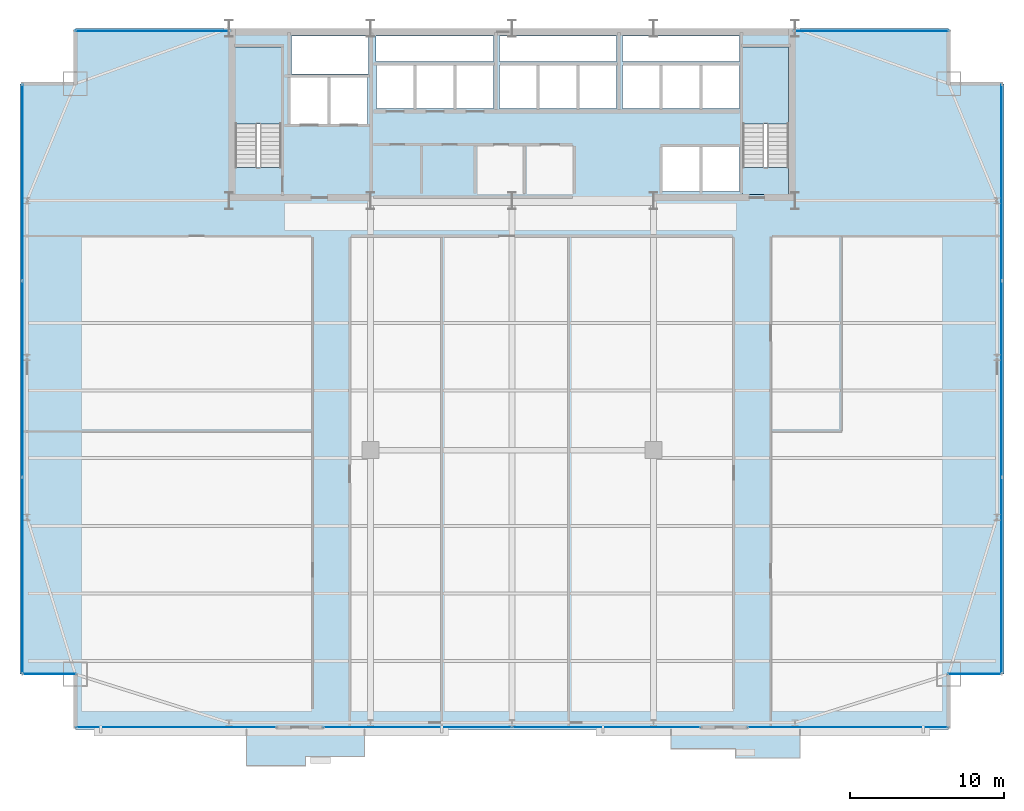
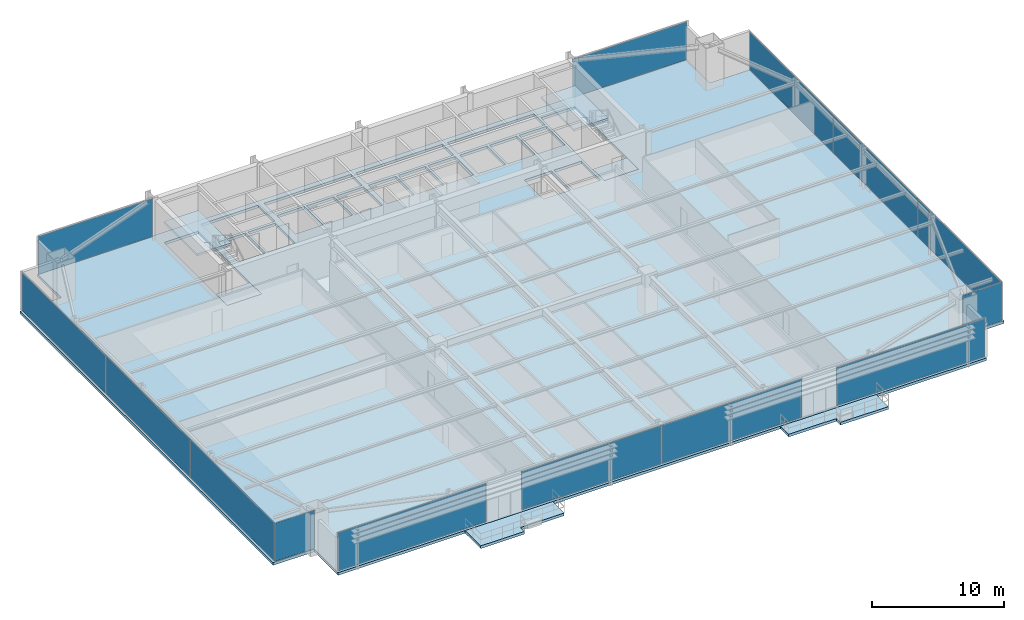
# One storey, part 24 of 31: 14 plates, 7 slabs, 11 elements without a shape of their own.
"""IFC4 building model written with IfcOpenShell, lengths in metres."""

from ifc_helpers import new_model, si_unit, direction, frame, origin, origin_2d, place, context, subcontext, project, spatial, polyline, rectangle, outline, extrude, source, transform, mapped, material, layer, layer_set, type_object, type_shapes, element, aggregate, save


model = new_model("IFC4")

# Units and contexts
model_context = context("Model", 3, precision=1e-05, world=origin(), true_north=direction((0.0, 1.0)))
body_context = subcontext(model_context, "Body", "Model", "MODEL_VIEW")
ifc_project = project(units=[si_unit("LENGTHUNIT", "METRE"), si_unit("AREAUNIT", "SQUARE_METRE"), si_unit("VOLUMEUNIT", "CUBIC_METRE"), si_unit("PLANEANGLEUNIT", "RADIAN"), si_unit("MASSUNIT", "GRAM", prefix="KILO")], contexts=[model_context])

# Site, building, storey
site_placement = place(None, origin())
site = spatial("IfcSite", under=ifc_project, at=site_placement, CompositionType="ELEMENT")
building_placement = place(site_placement, origin())
building = spatial("IfcBuilding", under=site, at=building_placement, Name="Varnel Quay Broadcast Tower", CompositionType="ELEMENT")
storey_placement = place(building_placement, frame((0.0, 0.0, 35.39990234375)))
storey = spatial("IfcBuildingStorey", under=building, at=storey_placement, Name="L07", CompositionType="ELEMENT", Elevation=35.39990234375)

# Slabs
ifc_material_1 = material(Name="Concrete CSA A23.3 C40/50", Category="concrete")
ifc_layer_1 = layer(ifc_material_1, 0.25, Name="Concrete CSA A23.3 C40/50")
ifc_layer_set_1 = layer_set([ifc_layer_1], Name="Concrete CSA A23.3 C40/50")
slab_type_1 = type_object("IfcSlabType", Name="Slab_ExtTerrace250", PredefinedType="FLOOR", material=ifc_layer_set_1)
slab_1_placement = place(storey_placement, frame((0.0, 0.0, -0.25)))
element("IfcSlab", 1, at=slab_1_placement, inside=storey, type_object=slab_type_1, Name="L07 Planted Lobe Terrace Slab 1", PredefinedType="FLOOR", context=body_context, shape_type="SweptSolid", body=[
    extrude(outline(polyline([(16.739990234375, -1.14794921875), (20.570068359375, -1.14794921875), (20.570068359375, -0.548095703125), (24.39990234375, -0.548095703125), (24.39990234375, 1.199951171875), (16.739990234375, 1.199951171875), (16.739990234375, -1.14794921875)])), origin(), (0.0, 0.0, 1.0), 0.25),
])
slab_2_placement = place(storey_placement, frame((0.0, 0.0, -0.25)))
element("IfcSlab", 2, at=slab_2_placement, inside=storey, type_object=slab_type_1, Name="L07 Planted Lobe Terrace Slab 2", PredefinedType="FLOOR", context=body_context, shape_type="SweptSolid", body=[
    extrude(outline(polyline([(44.340087890625, -0.052001953125), (48.5400390625, -0.052001953125), (48.5400390625, -0.652099609375), (52.739990234375, -0.652099609375), (52.739990234375, 1.199951171875), (44.340087890625, 1.199951171875), (44.340087890625, -0.052001953125)])), origin(), (0.0, 0.0, 1.0), 0.25),
])
ifc_material_2 = material(Name="Concrete CSA A23.3 C50/60", Category="concrete")
ifc_layer_2 = layer(ifc_material_2, 0.25, Name="Concrete CSA A23.3 C50/60")
ifc_layer_set_2 = layer_set([ifc_layer_2], Name="Concrete CSA A23.3 C50/60")
slab_type_2 = type_object("IfcSlabType", Name="Slab_Floor250", PredefinedType="FLOOR", material=ifc_layer_set_2)
slab_3_placement = place(storey_placement, frame((0.0, 0.0, -0.25)))
element("IfcSlab", 3, at=slab_3_placement, inside=storey, type_object=slab_type_2, Name="L07 Structural Slab", PredefinedType="FLOOR", context=body_context, shape_type="SweptSolid", body=[
    extrude(outline(polyline([(5.60009765625, 1.199951171875), (62.39990234375, 1.199951171875), (62.39990234375, 4.800048828125), (66.0, 4.800048828125), (66.0, 43.199951171875), (62.39990234375, 43.199951171875), (62.39990234375, 46.800048828125), (5.60009765625, 46.800048828125), (5.60009765625, 43.199951171875), (2.0, 43.199951171875), (2.0, 4.800048828125), (5.60009765625, 4.800048828125), (5.60009765625, 1.199951171875)]), holes=[polyline([(16.0, 36.0), (16.0, 45.60009765625), (19.0, 45.60009765625), (19.0, 36.0), (16.0, 36.0)]), polyline([(19.60009765625, 43.60009765625), (22.0, 43.60009765625), (22.0, 40.60009765625), (19.60009765625, 40.60009765625), (19.60009765625, 43.60009765625)]), polyline([(22.199951171875, 43.60009765625), (24.60009765625, 43.60009765625), (24.60009765625, 40.60009765625), (22.199951171875, 40.60009765625), (22.199951171875, 43.60009765625)]), polyline([(25.199951171875, 44.39990234375), (27.60009765625, 44.39990234375), (27.60009765625, 41.60009765625), (25.199951171875, 41.60009765625), (25.199951171875, 44.39990234375)]), polyline([(27.800048828125, 44.39990234375), (30.199951171875, 44.39990234375), (30.199951171875, 41.60009765625), (27.800048828125, 41.60009765625), (27.800048828125, 44.39990234375)]), polyline([(30.39990234375, 44.39990234375), (32.800048828125, 44.39990234375), (32.800048828125, 41.60009765625), (30.39990234375, 41.60009765625), (30.39990234375, 44.39990234375)]), polyline([(33.199951171875, 44.39990234375), (35.60009765625, 44.39990234375), (35.60009765625, 41.60009765625), (33.199951171875, 41.60009765625), (33.199951171875, 44.39990234375)]), polyline([(38.199951171875, 44.39990234375), (38.199951171875, 41.60009765625), (35.800048828125, 41.60009765625), (35.800048828125, 44.39990234375), (38.199951171875, 44.39990234375)]), polyline([(24.679931640625, 46.300048828125), (24.679931640625, 43.85009765625), (19.64990234375, 43.85009765625), (19.64990234375, 46.300048828125), (24.679931640625, 46.300048828125)]), polyline([(25.14990234375, 46.300048828125), (32.800048828125, 46.300048828125), (32.800048828125, 44.64990234375), (25.14990234375, 44.64990234375), (25.14990234375, 46.300048828125)]), polyline([(43.800048828125, 39.10009765625), (46.199951171875, 39.10009765625), (46.199951171875, 36.199951171875), (43.800048828125, 36.199951171875), (43.800048828125, 39.10009765625)]), polyline([(46.39990234375, 39.10009765625), (48.800048828125, 39.10009765625), (48.800048828125, 36.199951171875), (46.39990234375, 36.199951171875), (46.39990234375, 39.10009765625)]), polyline([(49.0, 45.60009765625), (52.0, 45.60009765625), (52.0, 36.0), (49.0, 36.0), (49.0, 45.60009765625)]), polyline([(40.800048828125, 44.39990234375), (40.800048828125, 41.60009765625), (38.39990234375, 41.60009765625), (38.39990234375, 44.39990234375), (40.800048828125, 44.39990234375)]), polyline([(41.199951171875, 44.39990234375), (43.60009765625, 44.39990234375), (43.60009765625, 41.60009765625), (41.199951171875, 41.60009765625), (41.199951171875, 44.39990234375)]), polyline([(43.800048828125, 44.39990234375), (46.199951171875, 44.39990234375), (46.199951171875, 41.60009765625), (43.800048828125, 41.60009765625), (43.800048828125, 44.39990234375)]), polyline([(46.39990234375, 44.39990234375), (48.800048828125, 44.39990234375), (48.800048828125, 41.60009765625), (46.39990234375, 41.60009765625), (46.39990234375, 44.39990234375)]), polyline([(40.800048828125, 46.300048828125), (40.800048828125, 44.64990234375), (33.199951171875, 44.64990234375), (33.199951171875, 46.300048828125), (40.800048828125, 46.300048828125)]), polyline([(48.800048828125, 46.300048828125), (48.800048828125, 44.64990234375), (41.199951171875, 44.64990234375), (41.199951171875, 46.300048828125), (48.800048828125, 46.300048828125)])]), origin(), (0.0, 0.0, 1.0), 0.25),
])
ifc_layer_3 = layer(ifc_material_2, 0.25, Name="Concrete CSA A23.3 C50/60")
ifc_layer_set_3 = layer_set([ifc_layer_3], Name="Concrete CSA A23.3 C50/60")
slab_type_3 = type_object("IfcSlabType", Name="Slab_StairFloorLanding250", PredefinedType="FLOOR", material=ifc_layer_set_3)
slab_4_placement = place(storey_placement, frame((0.0, 0.0, -0.25)))
element("IfcSlab", 4, at=slab_4_placement, inside=storey, type_object=slab_type_3, Name="L07 ST-01 Structural Floor Landing Slab", PredefinedType="FLOOR", context=body_context, shape_type="SweptSolid", body=[
    extrude(outline(polyline([(19.0, 36.0), (19.0, 37.75), (16.0, 37.75), (16.0, 36.0), (19.0, 36.0)])), origin(), (0.0, 0.0, 1.0), 0.25),
])
slab_5_placement = place(storey_placement, frame((0.0, 0.0, -0.25)))
element("IfcSlab", 5, at=slab_5_placement, inside=storey, type_object=slab_type_3, Name="L07 ST-02 Structural Floor Landing Slab", PredefinedType="FLOOR", context=body_context, shape_type="SweptSolid", body=[
    extrude(outline(polyline([(52.0, 36.0), (52.0, 37.75), (49.0, 37.75), (49.0, 36.0), (52.0, 36.0)])), origin(), (0.0, 0.0, 1.0), 0.25),
])

# Stair, slab
ifc_material_3 = material(Name="Precast Structural Concrete C40/50", Category="concrete")
stair_type_1 = type_object("IfcStairType", Name="Stair_ST-01", PredefinedType="HALF_TURN_STAIR", material=ifc_material_3)
stair_1_placement = place(storey_placement, origin())
stair_1 = element("IfcStair", 6, at=stair_1_placement, inside=storey, type_object=stair_type_1, Name="L07 West Core Exit Stair 1", PredefinedType="HALF_TURN_STAIR")
ifc_layer_4 = layer(ifc_material_3, 0.199951171875, Name="Precast Structural Concrete C40/50")
ifc_layer_set_4 = layer_set([ifc_layer_4], Name="Precast Structural Concrete C40/50")
slab_type_4 = type_object("IfcSlabType", Name="Slab_StairLanding200", PredefinedType="LANDING", material=ifc_layer_set_4)
slab_6_placement = place(storey_placement, frame((0.0, 0.0, 1.75)))
slab_6 = element("IfcSlab", 7, at=slab_6_placement, type_object=slab_type_4, Name="ST-01 landing 1", PredefinedType="LANDING", context=body_context, shape_type="SweptSolid", body=[
    extrude(outline(polyline([(19.0, 40.60009765625), (19.0, 45.60009765625), (16.0, 45.60009765625), (16.0, 40.60009765625), (19.0, 40.60009765625)])), origin(), (0.0, 0.0, 1.0), 0.2001953125),
])
aggregate(stair_1, [slab_6])

stair_type_2 = type_object("IfcStairType", Name="Stair_ST-02", PredefinedType="HALF_TURN_STAIR", material=ifc_material_3)
stair_2_placement = place(storey_placement, origin())
stair_2 = element("IfcStair", 8, at=stair_2_placement, inside=storey, type_object=stair_type_2, Name="L07 East Core Exit Stair 2", PredefinedType="HALF_TURN_STAIR")
slab_7_placement = place(storey_placement, frame((0.0, 0.0, 1.75)))
slab_7 = element("IfcSlab", 9, at=slab_7_placement, type_object=slab_type_4, Name="ST-02 landing 1", PredefinedType="LANDING", context=body_context, shape_type="SweptSolid", body=[
    extrude(outline(polyline([(52.0, 40.60009765625), (52.0, 45.60009765625), (49.0, 45.60009765625), (49.0, 40.60009765625), (52.0, 40.60009765625)])), origin(), (0.0, 0.0, 1.0), 0.2001953125),
])
aggregate(stair_2, [slab_7])

# Curtain wall, plate
ifc_material_4 = material(Name="Anodised Bronze Aluminium 6063-T6", Category="aluminium")
ifc_layer_5 = layer(ifc_material_4, 0.18994140625, Name="Anodised Bronze Aluminium 6063-T6")
ifc_layer_set_5 = layer_set([ifc_layer_5], Name="Anodised Bronze Aluminium 6063-T6")
curtain_wall_type_1 = type_object("IfcCurtainWallType", Name="CW_LowerTower", PredefinedType="NOTDEFINED", material=ifc_layer_set_5)
curtain_wall_1_placement = place(storey_placement, origin())
curtain_wall_1 = element("IfcCurtainWall", 10, at=curtain_wall_1_placement, inside=storey, type_object=curtain_wall_type_1, Name="L07 South Unitised Curtain Wall 1", PredefinedType="NOTDEFINED")
ifc_material_5 = material(Name="Triple-Glazed Bronze Low-E Architectural Glass", Category="glass")
ifc_layer_6 = layer(ifc_material_5, 0.031982421875, Name="Triple-Glazed Bronze Low-E Architectural Glass")
ifc_layer_set_6 = layer_set([ifc_layer_6], Name="Triple-Glazed Bronze Low-E Architectural Glass")
plate_type_1 = type_object("IfcPlateType", Name="Panel_CWS-02", PredefinedType="CURTAIN_PANEL", material=ifc_layer_set_6)
shared_shape_1 = source(origin(), body_context, "Body", "SweptSolid", [
    extrude(rectangle(XDim=12.97998046875, YDim=0.031982421875, at=origin_2d()), origin(), (0.0, 0.0, 1.0), 3.530029296875),
])
plate_1_placement = place(storey_placement, frame((12.159912109375, 1.35009765625, 0.06005859375), z_axis=(0.0, 0.0, 1.0), x_axis=(1.0, 0.0, 0.0)))
plate_1 = element("IfcPlate", 11, at=plate_1_placement, type_object=plate_type_1, Name="CWS-02 panel 1.1", PredefinedType="CURTAIN_PANEL", context=body_context, shape_type="MappedRepresentation", body=[
    mapped(shared_shape_1, transform((0.0, 0.0, 0.0), x_axis=(1.0, 0.0, 0.0), y_axis=(0.0, 1.0, 0.0), z_axis=(0.0, 0.0, 1.0), scale=1.0)),
])
aggregate(curtain_wall_1, [plate_1])

curtain_wall_2_placement = place(storey_placement, origin())
curtain_wall_2 = element("IfcCurtainWall", 12, at=curtain_wall_2_placement, inside=storey, type_object=curtain_wall_type_1, Name="L07 South Unitised Curtain Wall 3", PredefinedType="NOTDEFINED")
plate_2_placement = place(storey_placement, frame((55.840087890625, 1.35009765625, 0.06005859375), z_axis=(0.0, 0.0, 1.0), x_axis=(1.0, 0.0, 0.0)))
plate_2 = element("IfcPlate", 13, at=plate_2_placement, type_object=plate_type_1, Name="CWS-02 panel 1.1", PredefinedType="CURTAIN_PANEL", context=body_context, shape_type="MappedRepresentation", body=[
    mapped(shared_shape_1, transform((0.0, 0.0, 0.0), x_axis=(1.0, 0.0, 0.0), y_axis=(0.0, 1.0, 0.0), z_axis=(0.0, 0.0, 1.0), scale=1.0)),
])
aggregate(curtain_wall_2, [plate_2])

# Curtain wall, plates
curtain_wall_3_placement = place(storey_placement, origin())
curtain_wall_3 = element("IfcCurtainWall", 14, at=curtain_wall_3_placement, inside=storey, type_object=curtain_wall_type_1, Name="L07 South Unitised Curtain Wall 2", PredefinedType="NOTDEFINED")
ifc_material_6 = material(Name="Insulated Bronze Spandrel Glass", Category="glass")
ifc_layer_7 = layer(ifc_material_6, 0.031982421875, Name="Insulated Bronze Spandrel Glass")
ifc_layer_set_7 = layer_set([ifc_layer_7], Name="Insulated Bronze Spandrel Glass")
plate_type_2 = type_object("IfcPlateType", Name="PanelSp_CWS-02", PredefinedType="CURTAIN_PANEL", material=ifc_layer_set_7)
shared_shape_2 = source(origin(), body_context, "Body", "SweptSolid", [
    extrude(rectangle(XDim=12.215087890625, YDim=0.031982421875, at=origin_2d()), origin(), (0.0, 0.0, 1.0), 3.530029296875),
])
plate_3_placement = place(storey_placement, frame((27.857421875, 1.35009765625, 0.06005859375), z_axis=(0.0, 0.0, 1.0), x_axis=(1.0, 0.0, 0.0)))
plate_3 = element("IfcPlate", 15, at=plate_3_placement, type_object=plate_type_2, Name="CWS-02 panel 1.1", PredefinedType="CURTAIN_PANEL", context=body_context, shape_type="MappedRepresentation", body=[
    mapped(shared_shape_2, transform((0.0, 0.0, 0.0), x_axis=(1.0, 0.0, 0.0), y_axis=(0.0, 1.0, 0.0), z_axis=(0.0, 0.0, 1.0), scale=1.0)),
])
plate_4_placement = place(storey_placement, frame((40.142578125, 1.35009765625, 0.06005859375), z_axis=(0.0, 0.0, 1.0), x_axis=(1.0, 0.0, 0.0)))
plate_4 = element("IfcPlate", 16, at=plate_4_placement, type_object=plate_type_2, Name="CWS-02 panel 2.1", PredefinedType="CURTAIN_PANEL", context=body_context, shape_type="MappedRepresentation", body=[
    mapped(shared_shape_2, transform((0.0, 0.0, 0.0), x_axis=(1.0, 0.0, 0.0), y_axis=(0.0, 1.0, 0.0), z_axis=(0.0, 0.0, 1.0), scale=1.0)),
])
aggregate(curtain_wall_3, [plate_3, plate_4])

# Curtain wall, plate
curtain_wall_4_placement = place(storey_placement, origin())
curtain_wall_4 = element("IfcCurtainWall", 17, at=curtain_wall_4_placement, inside=storey, type_object=curtain_wall_type_1, Name="L07 West Unitised Curtain Wall", PredefinedType="NOTDEFINED")
shared_shape_3 = source(origin(), body_context, "Body", "SweptSolid", [
    extrude(rectangle(XDim=12.695068359375, YDim=0.031982421875, at=origin_2d()), origin(), (0.0, 0.0, 1.0), 3.530029296875),
])
plate_5_placement = place(storey_placement, frame((2.14990234375, 36.782470703125, 0.06005859375), z_axis=(0.0, 0.0, 1.0), x_axis=(0.0, 1.0, 0.0)))
plate_5 = element("IfcPlate", 18, at=plate_5_placement, type_object=plate_type_2, Name="CWS-02 panel 3.1", PredefinedType="CURTAIN_PANEL", context=body_context, shape_type="MappedRepresentation", body=[
    mapped(shared_shape_3, transform((0.0, 0.0, 0.0), x_axis=(1.0, 0.0, 0.0), y_axis=(0.0, 1.0, 0.0), z_axis=(0.0, 0.0, 1.0), scale=1.0)),
])

curtain_wall_5_placement = place(storey_placement, origin())
curtain_wall_5 = element("IfcCurtainWall", 19, at=curtain_wall_5_placement, inside=storey, type_object=curtain_wall_type_1, Name="L07 East Unitised Curtain Wall", PredefinedType="NOTDEFINED")
plate_6_placement = place(storey_placement, frame((65.85009765625, 36.782470703125, 0.06005859375), z_axis=(0.0, 0.0, 1.0), x_axis=(0.0, 1.0, 0.0)))
plate_6 = element("IfcPlate", 20, at=plate_6_placement, type_object=plate_type_2, Name="CWS-02 panel 3.1", PredefinedType="CURTAIN_PANEL", context=body_context, shape_type="MappedRepresentation", body=[
    mapped(shared_shape_3, transform((0.0, 0.0, 0.0), x_axis=(1.0, 0.0, 0.0), y_axis=(0.0, 1.0, 0.0), z_axis=(0.0, 0.0, 1.0), scale=1.0)),
])

# Plate
shared_shape_4 = source(origin(), body_context, "Body", "SweptSolid", [
    extrude(rectangle(XDim=12.72998046875, YDim=0.031982421875, at=origin_2d()), origin(), (0.0, 0.0, 1.0), 3.530029296875),
])
type_shapes(plate_type_2, [shared_shape_2, shared_shape_3, shared_shape_4])
plate_7_placement = place(storey_placement, frame((2.14990234375, 24.0, 0.06005859375), z_axis=(0.0, 0.0, 1.0), x_axis=(0.0, 1.0, 0.0)))
plate_7 = element("IfcPlate", 21, at=plate_7_placement, type_object=plate_type_2, Name="CWS-02 panel 2.1", PredefinedType="CURTAIN_PANEL", context=body_context, shape_type="MappedRepresentation", body=[
    mapped(shared_shape_4, transform((0.0, 0.0, 0.0), x_axis=(1.0, 0.0, 0.0), y_axis=(0.0, 1.0, 0.0), z_axis=(0.0, 0.0, 1.0), scale=1.0)),
])

plate_8_placement = place(storey_placement, frame((65.85009765625, 24.0, 0.06005859375), z_axis=(0.0, 0.0, 1.0), x_axis=(0.0, 1.0, 0.0)))
plate_8 = element("IfcPlate", 22, at=plate_8_placement, type_object=plate_type_2, Name="CWS-02 panel 2.1", PredefinedType="CURTAIN_PANEL", context=body_context, shape_type="MappedRepresentation", body=[
    mapped(shared_shape_4, transform((0.0, 0.0, 0.0), x_axis=(1.0, 0.0, 0.0), y_axis=(0.0, 1.0, 0.0), z_axis=(0.0, 0.0, 1.0), scale=1.0)),
])

# Curtain wall, plate
ifc_layer_8 = layer(ifc_material_4, 0.18994140625, Name="Anodised Bronze Aluminium 6063-T6")
ifc_layer_set_8 = layer_set([ifc_layer_8], Name="Anodised Bronze Aluminium 6063-T6")
curtain_wall_type_2 = type_object("IfcCurtainWallType", Name="CW_NotchCorner", PredefinedType="NOTDEFINED", material=ifc_layer_set_8)
curtain_wall_6_placement = place(storey_placement, origin())
curtain_wall_6 = element("IfcCurtainWall", 23, at=curtain_wall_6_placement, inside=storey, type_object=curtain_wall_type_2, Name="L07 SW Notch Curtain Wall", PredefinedType="NOTDEFINED")
ifc_layer_9 = layer(ifc_material_5, 0.028076171875, Name="Triple-Glazed Bronze Low-E Architectural Glass")
ifc_layer_set_9 = layer_set([ifc_layer_9], Name="Triple-Glazed Bronze Low-E Architectural Glass")
plate_type_3 = type_object("IfcPlateType", Name="Panel_CWS-04", PredefinedType="CURTAIN_PANEL", material=ifc_layer_set_9)
shared_shape_5 = source(origin(), body_context, "Body", "SweptSolid", [
    extrude(rectangle(XDim=3.409912109375, YDim=0.028076171875, at=origin_2d()), origin(), (0.0, 0.0, 1.0), 3.5400390625),
])
type_shapes(plate_type_3, [shared_shape_5])
plate_9_placement = place(storey_placement, frame((3.9150390625, 4.800048828125, 0.05517578125), z_axis=(0.0, 0.0, 1.0), x_axis=(1.0, 0.0, 0.0)))
plate_9 = element("IfcPlate", 24, at=plate_9_placement, type_object=plate_type_3, Name="CWS-04 panel 1.1", PredefinedType="CURTAIN_PANEL", context=body_context, shape_type="MappedRepresentation", body=[
    mapped(shared_shape_5, transform((0.0, 0.0, 0.0), x_axis=(1.0, 0.0, 0.0), y_axis=(0.0, 1.0, 0.0), z_axis=(0.0, 0.0, 1.0), scale=1.0)),
])
aggregate(curtain_wall_6, [plate_9])

curtain_wall_7_placement = place(storey_placement, origin())
curtain_wall_7 = element("IfcCurtainWall", 25, at=curtain_wall_7_placement, inside=storey, type_object=curtain_wall_type_2, Name="L07 SE Notch Curtain Wall", PredefinedType="NOTDEFINED")
plate_10_placement = place(storey_placement, frame((64.0849609375, 4.800048828125, 0.05517578125), z_axis=(0.0, 0.0, 1.0), x_axis=(1.0, 0.0, 0.0)))
plate_10 = element("IfcPlate", 26, at=plate_10_placement, type_object=plate_type_3, Name="CWS-04 panel 1.1", PredefinedType="CURTAIN_PANEL", context=body_context, shape_type="MappedRepresentation", body=[
    mapped(shared_shape_5, transform((0.0, 0.0, 0.0), x_axis=(1.0, 0.0, 0.0), y_axis=(0.0, 1.0, 0.0), z_axis=(0.0, 0.0, 1.0), scale=1.0)),
])
aggregate(curtain_wall_7, [plate_10])

curtain_wall_8_placement = place(storey_placement, origin())
curtain_wall_8 = element("IfcCurtainWall", 27, at=curtain_wall_8_placement, inside=storey, type_object=curtain_wall_type_1, Name="L07 NW Wing Curtain Wall", PredefinedType="NOTDEFINED")
shared_shape_6 = source(origin(), body_context, "Body", "SweptSolid", [
    extrude(rectangle(XDim=10.0400390625, YDim=0.031982421875, at=origin_2d()), origin(), (0.0, 0.0, 1.0), 3.530029296875),
])
plate_11_placement = place(storey_placement, frame((10.610107421875, 46.64990234375, 0.06005859375), z_axis=(0.0, 0.0, 1.0), x_axis=(1.0, 0.0, 0.0)))
plate_11 = element("IfcPlate", 28, at=plate_11_placement, type_object=plate_type_1, Name="CWS-02 panel 1.1", PredefinedType="CURTAIN_PANEL", context=body_context, shape_type="MappedRepresentation", body=[
    mapped(shared_shape_6, transform((0.0, 0.0, 0.0), x_axis=(1.0, 0.0, 0.0), y_axis=(0.0, 1.0, 0.0), z_axis=(0.0, 0.0, 1.0), scale=1.0)),
])
aggregate(curtain_wall_8, [plate_11])

curtain_wall_9_placement = place(storey_placement, origin())
curtain_wall_9 = element("IfcCurtainWall", 29, at=curtain_wall_9_placement, inside=storey, type_object=curtain_wall_type_1, Name="L07 NE Wing Curtain Wall", PredefinedType="NOTDEFINED")
plate_12_placement = place(storey_placement, frame((57.389892578125, 46.64990234375, 0.06005859375), z_axis=(0.0, 0.0, 1.0), x_axis=(1.0, 0.0, 0.0)))
plate_12 = element("IfcPlate", 30, at=plate_12_placement, type_object=plate_type_1, Name="CWS-02 panel 1.1", PredefinedType="CURTAIN_PANEL", context=body_context, shape_type="MappedRepresentation", body=[
    mapped(shared_shape_6, transform((0.0, 0.0, 0.0), x_axis=(1.0, 0.0, 0.0), y_axis=(0.0, 1.0, 0.0), z_axis=(0.0, 0.0, 1.0), scale=1.0)),
])
aggregate(curtain_wall_9, [plate_12])

# Plate
shared_shape_7 = source(origin(), body_context, "Body", "SweptSolid", [
    extrude(rectangle(XDim=12.695068359375, YDim=0.031982421875, at=origin_2d()), origin(), (0.0, 0.0, 1.0), 3.530029296875),
])
type_shapes(plate_type_1, [shared_shape_1, shared_shape_6, shared_shape_7])
plate_13_placement = place(storey_placement, frame((2.14990234375, 11.217529296875, 0.06005859375), z_axis=(0.0, 0.0, 1.0), x_axis=(0.0, 1.0, 0.0)))
plate_13 = element("IfcPlate", 31, at=plate_13_placement, type_object=plate_type_1, Name="CWS-02 panel 1.1", PredefinedType="CURTAIN_PANEL", context=body_context, shape_type="MappedRepresentation", body=[
    mapped(shared_shape_7, transform((0.0, 0.0, 0.0), x_axis=(1.0, 0.0, 0.0), y_axis=(0.0, 1.0, 0.0), z_axis=(0.0, 0.0, 1.0), scale=1.0)),
])

aggregate(curtain_wall_4, [plate_13, plate_7, plate_5])

plate_14_placement = place(storey_placement, frame((65.85009765625, 11.217529296875, 0.06005859375), z_axis=(0.0, 0.0, 1.0), x_axis=(0.0, 1.0, 0.0)))
plate_14 = element("IfcPlate", 32, at=plate_14_placement, type_object=plate_type_1, Name="CWS-02 panel 1.1", PredefinedType="CURTAIN_PANEL", context=body_context, shape_type="MappedRepresentation", body=[
    mapped(shared_shape_7, transform((0.0, 0.0, 0.0), x_axis=(1.0, 0.0, 0.0), y_axis=(0.0, 1.0, 0.0), z_axis=(0.0, 0.0, 1.0), scale=1.0)),
])

aggregate(curtain_wall_5, [plate_14, plate_8, plate_6])

save(model, "model.ifc")
